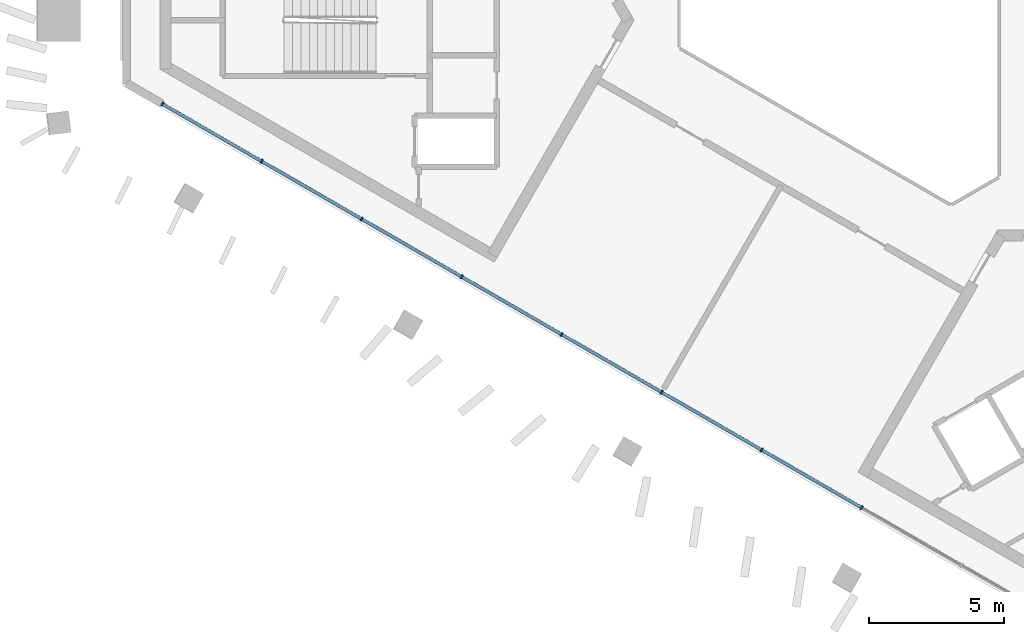
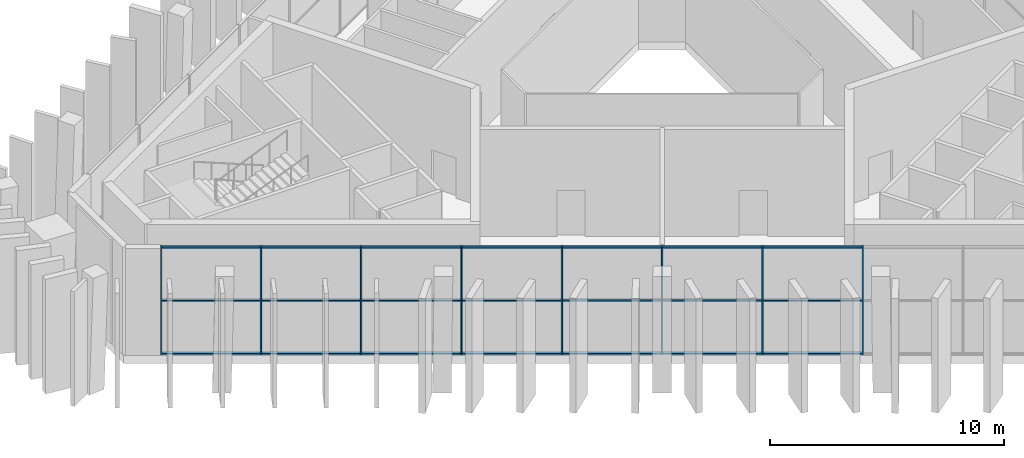
# One storey, part 2 of 12: 29 members, 1 element without a shape of its own.
"""IFC4 building model written with IfcOpenShell, lengths in metres."""

from ifc_helpers import new_model, si_unit, direction, frame, origin, origin_2d, place, context, subcontext, project, spatial, rectangle, extrude, material, layer, layer_set, material_profile, profile_set, type_object, element, aggregate, save


model = new_model("IFC4")

# Units and contexts
model_context = context("Model", 3, precision=1e-05, world=origin(), true_north=direction((0.0, 1.0)))
body_context = subcontext(model_context, "Body", "Model", "MODEL_VIEW")
ifc_project = project(units=[si_unit("LENGTHUNIT", "METRE"), si_unit("AREAUNIT", "SQUARE_METRE"), si_unit("VOLUMEUNIT", "CUBIC_METRE"), si_unit("PLANEANGLEUNIT", "RADIAN"), si_unit("MASSUNIT", "GRAM", prefix="KILO")], contexts=[model_context])

# Site, building, storey
site_placement = place(None, origin())
site = spatial("IfcSite", under=ifc_project, at=site_placement, CompositionType="ELEMENT")
building_placement = place(site_placement, origin())
building = spatial("IfcBuilding", under=site, at=building_placement, Name="Jabali Bay Hotel Tower and Convention Centre", CompositionType="ELEMENT")
storey_placement = place(building_placement, frame((0.0, 0.0, 304.800048828125)))
storey = spatial("IfcBuildingStorey", under=building, at=storey_placement, Name="L75", CompositionType="ELEMENT", Elevation=304.800048828125)

# Curtain wall, members
ifc_material_1 = material(Name="Aluminium and glass", Category="aluminium")
ifc_layer = layer(ifc_material_1, 0.159912109375)
ifc_layer_set = layer_set([ifc_layer], Name="Aluminium and glass")
curtain_wall_type = type_object("IfcCurtainWallType", Name="CW3 curtain wall", PredefinedType="NOTDEFINED", material=ifc_layer_set)
curtain_wall_placement = place(storey_placement, origin())
curtain_wall = element("IfcCurtainWall", 1, at=curtain_wall_placement, inside=storey, type_object=curtain_wall_type, Name="CW3 curtain wall south-west face L75", PredefinedType="NOTDEFINED")
ifc_material_2 = material(Name="Aluminium", Category="aluminium")
ifc_material_profile_1 = material_profile(ifc_material_2, rectangle(XDim=0.159912109375, YDim=0.06005859375, at=origin_2d()), Name="CW3 mullion 60 x 160")
ifc_profile_set_1 = profile_set([ifc_material_profile_1], Name="Aluminium")
member_type_1 = type_object("IfcMemberType", Name="CW3 mullion 60 x 160", PredefinedType="MULLION", material=ifc_profile_set_1)
member_1_placement = place(storey_placement, frame((74.4501953125, 61.8974609375, 0.0), z_axis=(0.0, 0.0, 1.0), x_axis=(-0.500000013347, -0.866025396079, 0.0)))
member_1 = element("IfcMember", 2, at=member_1_placement, type_object=member_type_1, Name="CW3 mullion 4", PredefinedType="MULLION", context=body_context, shape_type="SweptSolid", body=[
    extrude(rectangle(XDim=0.159912109375, YDim=0.06005859375, at=origin_2d()), origin(), (0.0, 0.0, 1.0), 5.599853515625),
])
member_2_placement = place(storey_placement, frame((70.737060546875, 64.041259765625, 0.0), z_axis=(0.0, 0.0, 1.0), x_axis=(-0.500000013347, -0.866025396079, 0.0)))
member_2 = element("IfcMember", 3, at=member_2_placement, type_object=member_type_1, Name="CW3 mullion 5", PredefinedType="MULLION", context=body_context, shape_type="SweptSolid", body=[
    extrude(rectangle(XDim=0.159912109375, YDim=0.06005859375, at=origin_2d()), origin(), (0.0, 0.0, 1.0), 5.599853515625),
])
member_3_placement = place(storey_placement, frame((67.02392578125, 66.18505859375, 0.0), z_axis=(0.0, 0.0, 1.0), x_axis=(-0.500000013347, -0.866025396079, 0.0)))
member_3 = element("IfcMember", 4, at=member_3_placement, type_object=member_type_1, Name="CW3 mullion 6", PredefinedType="MULLION", context=body_context, shape_type="SweptSolid", body=[
    extrude(rectangle(XDim=0.159912109375, YDim=0.06005859375, at=origin_2d()), origin(), (0.0, 0.0, 1.0), 5.599853515625),
])
member_4_placement = place(storey_placement, frame((63.310791015625, 68.328857421875, 0.0), z_axis=(0.0, 0.0, 1.0), x_axis=(-0.500000013347, -0.866025396079, 0.0)))
member_4 = element("IfcMember", 5, at=member_4_placement, type_object=member_type_1, Name="CW3 mullion 7", PredefinedType="MULLION", context=body_context, shape_type="SweptSolid", body=[
    extrude(rectangle(XDim=0.159912109375, YDim=0.06005859375, at=origin_2d()), origin(), (0.0, 0.0, 1.0), 5.599853515625),
])
member_5_placement = place(storey_placement, frame((59.59765625, 70.47265625, 0.0), z_axis=(0.0, 0.0, 1.0), x_axis=(-0.500000013347, -0.866025396079, 0.0)))
member_5 = element("IfcMember", 6, at=member_5_placement, type_object=member_type_1, Name="CW3 mullion 8", PredefinedType="MULLION", context=body_context, shape_type="SweptSolid", body=[
    extrude(rectangle(XDim=0.159912109375, YDim=0.06005859375, at=origin_2d()), origin(), (0.0, 0.0, 1.0), 5.599853515625),
])
member_6_placement = place(storey_placement, frame((55.884765625, 72.616455078125, 0.0), z_axis=(0.0, 0.0, 1.0), x_axis=(-0.500000013347, -0.866025396079, 0.0)))
member_6 = element("IfcMember", 7, at=member_6_placement, type_object=member_type_1, Name="CW3 mullion 9", PredefinedType="MULLION", context=body_context, shape_type="SweptSolid", body=[
    extrude(rectangle(XDim=0.159912109375, YDim=0.06005859375, at=origin_2d()), origin(), (0.0, 0.0, 1.0), 5.599853515625),
])
member_7_placement = place(storey_placement, frame((52.171630859375, 74.760009765625, 0.0), z_axis=(0.0, 0.0, 1.0), x_axis=(-0.500000013347, -0.866025396079, 0.0)))
member_7 = element("IfcMember", 8, at=member_7_placement, type_object=member_type_1, Name="CW3 mullion 10", PredefinedType="MULLION", context=body_context, shape_type="SweptSolid", body=[
    extrude(rectangle(XDim=0.159912109375, YDim=0.06005859375, at=origin_2d()), origin(), (0.0, 0.0, 1.0), 5.599853515625),
])
member_8_placement = place(storey_placement, frame((48.484375, 76.888916015625, 0.0), z_axis=(0.0, 0.0, 1.0), x_axis=(-0.500000013347, -0.866025396079, 0.0)))
member_8 = element("IfcMember", 9, at=member_8_placement, type_object=member_type_1, Name="CW3 mullion 11", PredefinedType="MULLION", context=body_context, shape_type="SweptSolid", body=[
    extrude(rectangle(XDim=0.159912109375, YDim=0.06005859375, at=origin_2d()), origin(), (0.0, 0.0, 1.0), 5.599853515625),
])
ifc_material_profile_2 = material_profile(ifc_material_2, rectangle(XDim=0.1201171875, YDim=0.06005859375, at=origin_2d()), Name="CW3 transom 60 x 120")
ifc_profile_set_2 = profile_set([ifc_material_profile_2], Name="Aluminium")
member_type_2 = type_object("IfcMemberType", Name="CW3 transom 60 x 120", PredefinedType="USERDEFINED", material=ifc_profile_set_2)
member_9_placement = place(storey_placement, frame((74.424072265625, 61.91259765625, 0.030029296875), z_axis=(-0.866024019333, 0.500002397932, 0.0), x_axis=(-0.500002397932, -0.866024019333, 0.0)))
member_9 = element("IfcMember", 10, at=member_9_placement, type_object=member_type_2, Name="CW3 transom 4.1", ObjectType="TRANSOM", PredefinedType="USERDEFINED", context=body_context, shape_type="SweptSolid", body=[
    extrude(rectangle(XDim=0.1201171875, YDim=0.06005859375, at=origin_2d()), origin(), (0.0, 0.0, 1.0), 4.2275390625),
])
member_10_placement = place(storey_placement, frame((74.424072265625, 61.91259765625, 2.800048828125), z_axis=(-0.866024019333, 0.500002397932, 0.0), x_axis=(-0.500002397932, -0.866024019333, 0.0)))
member_10 = element("IfcMember", 11, at=member_10_placement, type_object=member_type_2, Name="CW3 transom 4.2", ObjectType="TRANSOM", PredefinedType="USERDEFINED", context=body_context, shape_type="SweptSolid", body=[
    extrude(rectangle(XDim=0.1201171875, YDim=0.06005859375, at=origin_2d()), origin(), (0.0, 0.0, 1.0), 4.2275390625),
])
member_11_placement = place(storey_placement, frame((74.424072265625, 61.91259765625, 5.570068359375), z_axis=(-0.866024019333, 0.500002397932, 0.0), x_axis=(-0.500002397932, -0.866024019333, 0.0)))
member_11 = element("IfcMember", 12, at=member_11_placement, type_object=member_type_2, Name="CW3 transom 4.3", ObjectType="TRANSOM", PredefinedType="USERDEFINED", context=body_context, shape_type="SweptSolid", body=[
    extrude(rectangle(XDim=0.1201171875, YDim=0.06005859375, at=origin_2d()), origin(), (0.0, 0.0, 1.0), 4.2275390625),
])
member_12_placement = place(storey_placement, frame((70.711181640625, 64.056396484375, 0.030029296875), z_axis=(-0.866024019333, 0.500002397932, 0.0), x_axis=(-0.500002397932, -0.866024019333, 0.0)))
member_12 = element("IfcMember", 13, at=member_12_placement, type_object=member_type_2, Name="CW3 transom 5.1", ObjectType="TRANSOM", PredefinedType="USERDEFINED", context=body_context, shape_type="SweptSolid", body=[
    extrude(rectangle(XDim=0.1201171875, YDim=0.06005859375, at=origin_2d()), origin(), (0.0, 0.0, 1.0), 4.2275390625),
])
member_13_placement = place(storey_placement, frame((70.711181640625, 64.056396484375, 2.800048828125), z_axis=(-0.866024019333, 0.500002397932, 0.0), x_axis=(-0.500002397932, -0.866024019333, 0.0)))
member_13 = element("IfcMember", 14, at=member_13_placement, type_object=member_type_2, Name="CW3 transom 5.2", ObjectType="TRANSOM", PredefinedType="USERDEFINED", context=body_context, shape_type="SweptSolid", body=[
    extrude(rectangle(XDim=0.1201171875, YDim=0.06005859375, at=origin_2d()), origin(), (0.0, 0.0, 1.0), 4.2275390625),
])
member_14_placement = place(storey_placement, frame((70.711181640625, 64.056396484375, 5.570068359375), z_axis=(-0.866024019333, 0.500002397932, 0.0), x_axis=(-0.500002397932, -0.866024019333, 0.0)))
member_14 = element("IfcMember", 15, at=member_14_placement, type_object=member_type_2, Name="CW3 transom 5.3", ObjectType="TRANSOM", PredefinedType="USERDEFINED", context=body_context, shape_type="SweptSolid", body=[
    extrude(rectangle(XDim=0.1201171875, YDim=0.06005859375, at=origin_2d()), origin(), (0.0, 0.0, 1.0), 4.2275390625),
])
member_15_placement = place(storey_placement, frame((66.998046875, 66.2001953125, 0.030029296875), z_axis=(-0.866024019333, 0.500002397932, 0.0), x_axis=(-0.500002397932, -0.866024019333, 0.0)))
member_15 = element("IfcMember", 16, at=member_15_placement, type_object=member_type_2, Name="CW3 transom 6.1", ObjectType="TRANSOM", PredefinedType="USERDEFINED", context=body_context, shape_type="SweptSolid", body=[
    extrude(rectangle(XDim=0.1201171875, YDim=0.06005859375, at=origin_2d()), origin(), (0.0, 0.0, 1.0), 4.2275390625),
])
member_16_placement = place(storey_placement, frame((66.998046875, 66.2001953125, 2.800048828125), z_axis=(-0.866024019333, 0.500002397932, 0.0), x_axis=(-0.500002397932, -0.866024019333, 0.0)))
member_16 = element("IfcMember", 17, at=member_16_placement, type_object=member_type_2, Name="CW3 transom 6.2", ObjectType="TRANSOM", PredefinedType="USERDEFINED", context=body_context, shape_type="SweptSolid", body=[
    extrude(rectangle(XDim=0.1201171875, YDim=0.06005859375, at=origin_2d()), origin(), (0.0, 0.0, 1.0), 4.2275390625),
])
member_17_placement = place(storey_placement, frame((66.998046875, 66.2001953125, 5.570068359375), z_axis=(-0.866024019333, 0.500002397932, 0.0), x_axis=(-0.500002397932, -0.866024019333, 0.0)))
member_17 = element("IfcMember", 18, at=member_17_placement, type_object=member_type_2, Name="CW3 transom 6.3", ObjectType="TRANSOM", PredefinedType="USERDEFINED", context=body_context, shape_type="SweptSolid", body=[
    extrude(rectangle(XDim=0.1201171875, YDim=0.06005859375, at=origin_2d()), origin(), (0.0, 0.0, 1.0), 4.2275390625),
])
member_18_placement = place(storey_placement, frame((63.284912109375, 68.34375, 0.030029296875), z_axis=(-0.866024019333, 0.500002397932, 0.0), x_axis=(-0.500002397932, -0.866024019333, 0.0)))
member_18 = element("IfcMember", 19, at=member_18_placement, type_object=member_type_2, Name="CW3 transom 7.1", ObjectType="TRANSOM", PredefinedType="USERDEFINED", context=body_context, shape_type="SweptSolid", body=[
    extrude(rectangle(XDim=0.1201171875, YDim=0.06005859375, at=origin_2d()), origin(), (0.0, 0.0, 1.0), 4.2275390625),
])
member_19_placement = place(storey_placement, frame((63.284912109375, 68.34375, 2.800048828125), z_axis=(-0.866024019333, 0.500002397932, 0.0), x_axis=(-0.500002397932, -0.866024019333, 0.0)))
member_19 = element("IfcMember", 20, at=member_19_placement, type_object=member_type_2, Name="CW3 transom 7.2", ObjectType="TRANSOM", PredefinedType="USERDEFINED", context=body_context, shape_type="SweptSolid", body=[
    extrude(rectangle(XDim=0.1201171875, YDim=0.06005859375, at=origin_2d()), origin(), (0.0, 0.0, 1.0), 4.2275390625),
])
member_20_placement = place(storey_placement, frame((63.284912109375, 68.34375, 5.570068359375), z_axis=(-0.866024019333, 0.500002397932, 0.0), x_axis=(-0.500002397932, -0.866024019333, 0.0)))
member_20 = element("IfcMember", 21, at=member_20_placement, type_object=member_type_2, Name="CW3 transom 7.3", ObjectType="TRANSOM", PredefinedType="USERDEFINED", context=body_context, shape_type="SweptSolid", body=[
    extrude(rectangle(XDim=0.1201171875, YDim=0.06005859375, at=origin_2d()), origin(), (0.0, 0.0, 1.0), 4.2275390625),
])
member_21_placement = place(storey_placement, frame((59.57177734375, 70.487548828125, 0.030029296875), z_axis=(-0.866024019333, 0.500002397932, 0.0), x_axis=(-0.500002397932, -0.866024019333, 0.0)))
member_21 = element("IfcMember", 22, at=member_21_placement, type_object=member_type_2, Name="CW3 transom 8.1", ObjectType="TRANSOM", PredefinedType="USERDEFINED", context=body_context, shape_type="SweptSolid", body=[
    extrude(rectangle(XDim=0.1201171875, YDim=0.06005859375, at=origin_2d()), origin(), (0.0, 0.0, 1.0), 4.2275390625),
])
member_22_placement = place(storey_placement, frame((59.57177734375, 70.487548828125, 2.800048828125), z_axis=(-0.866024019333, 0.500002397932, 0.0), x_axis=(-0.500002397932, -0.866024019333, 0.0)))
member_22 = element("IfcMember", 23, at=member_22_placement, type_object=member_type_2, Name="CW3 transom 8.2", ObjectType="TRANSOM", PredefinedType="USERDEFINED", context=body_context, shape_type="SweptSolid", body=[
    extrude(rectangle(XDim=0.1201171875, YDim=0.06005859375, at=origin_2d()), origin(), (0.0, 0.0, 1.0), 4.2275390625),
])
member_23_placement = place(storey_placement, frame((59.57177734375, 70.487548828125, 5.570068359375), z_axis=(-0.866024019333, 0.500002397932, 0.0), x_axis=(-0.500002397932, -0.866024019333, 0.0)))
member_23 = element("IfcMember", 24, at=member_23_placement, type_object=member_type_2, Name="CW3 transom 8.3", ObjectType="TRANSOM", PredefinedType="USERDEFINED", context=body_context, shape_type="SweptSolid", body=[
    extrude(rectangle(XDim=0.1201171875, YDim=0.06005859375, at=origin_2d()), origin(), (0.0, 0.0, 1.0), 4.2275390625),
])
member_24_placement = place(storey_placement, frame((55.858642578125, 72.63134765625, 0.030029296875), z_axis=(-0.866024019333, 0.500002397932, 0.0), x_axis=(-0.500002397932, -0.866024019333, 0.0)))
member_24 = element("IfcMember", 25, at=member_24_placement, type_object=member_type_2, Name="CW3 transom 9.1", ObjectType="TRANSOM", PredefinedType="USERDEFINED", context=body_context, shape_type="SweptSolid", body=[
    extrude(rectangle(XDim=0.1201171875, YDim=0.06005859375, at=origin_2d()), origin(), (0.0, 0.0, 1.0), 4.2275390625),
])
member_25_placement = place(storey_placement, frame((55.858642578125, 72.63134765625, 2.800048828125), z_axis=(-0.866024019333, 0.500002397932, 0.0), x_axis=(-0.500002397932, -0.866024019333, 0.0)))
member_25 = element("IfcMember", 26, at=member_25_placement, type_object=member_type_2, Name="CW3 transom 9.2", ObjectType="TRANSOM", PredefinedType="USERDEFINED", context=body_context, shape_type="SweptSolid", body=[
    extrude(rectangle(XDim=0.1201171875, YDim=0.06005859375, at=origin_2d()), origin(), (0.0, 0.0, 1.0), 4.2275390625),
])
member_26_placement = place(storey_placement, frame((55.858642578125, 72.63134765625, 5.570068359375), z_axis=(-0.866024019333, 0.500002397932, 0.0), x_axis=(-0.500002397932, -0.866024019333, 0.0)))
member_26 = element("IfcMember", 27, at=member_26_placement, type_object=member_type_2, Name="CW3 transom 9.3", ObjectType="TRANSOM", PredefinedType="USERDEFINED", context=body_context, shape_type="SweptSolid", body=[
    extrude(rectangle(XDim=0.1201171875, YDim=0.06005859375, at=origin_2d()), origin(), (0.0, 0.0, 1.0), 4.2275390625),
])
member_27_placement = place(storey_placement, frame((52.1455078125, 74.775146484375, 0.030029296875), z_axis=(-0.866029639064, 0.499992664208, 0.0), x_axis=(-0.499992664208, -0.866029639064, 0.0)))
member_27 = element("IfcMember", 28, at=member_27_placement, type_object=member_type_2, Name="CW3 transom 10.1", ObjectType="TRANSOM", PredefinedType="USERDEFINED", context=body_context, shape_type="SweptSolid", body=[
    extrude(rectangle(XDim=0.1201171875, YDim=0.06005859375, at=origin_2d()), origin(), (0.0, 0.0, 1.0), 4.197265625),
])
member_28_placement = place(storey_placement, frame((52.1455078125, 74.775146484375, 2.800048828125), z_axis=(-0.866029639064, 0.499992664208, 0.0), x_axis=(-0.499992664208, -0.866029639064, 0.0)))
member_28 = element("IfcMember", 29, at=member_28_placement, type_object=member_type_2, Name="CW3 transom 10.2", ObjectType="TRANSOM", PredefinedType="USERDEFINED", context=body_context, shape_type="SweptSolid", body=[
    extrude(rectangle(XDim=0.1201171875, YDim=0.06005859375, at=origin_2d()), origin(), (0.0, 0.0, 1.0), 4.197265625),
])
member_29_placement = place(storey_placement, frame((52.1455078125, 74.775146484375, 5.570068359375), z_axis=(-0.866029639064, 0.499992664208, 0.0), x_axis=(-0.499992664208, -0.866029639064, 0.0)))
member_29 = element("IfcMember", 30, at=member_29_placement, type_object=member_type_2, Name="CW3 transom 10.3", ObjectType="TRANSOM", PredefinedType="USERDEFINED", context=body_context, shape_type="SweptSolid", body=[
    extrude(rectangle(XDim=0.1201171875, YDim=0.06005859375, at=origin_2d()), origin(), (0.0, 0.0, 1.0), 4.197265625),
])
aggregate(curtain_wall, [member_1, member_2, member_3, member_4, member_5, member_6, member_7, member_8, member_9, member_10, member_11, member_12, member_13, member_14, member_15, member_16, member_17, member_18, member_19, member_20, member_21, member_22, member_23, member_24, member_25, member_26, member_27, member_28, member_29])

save(model, "model.ifc")
